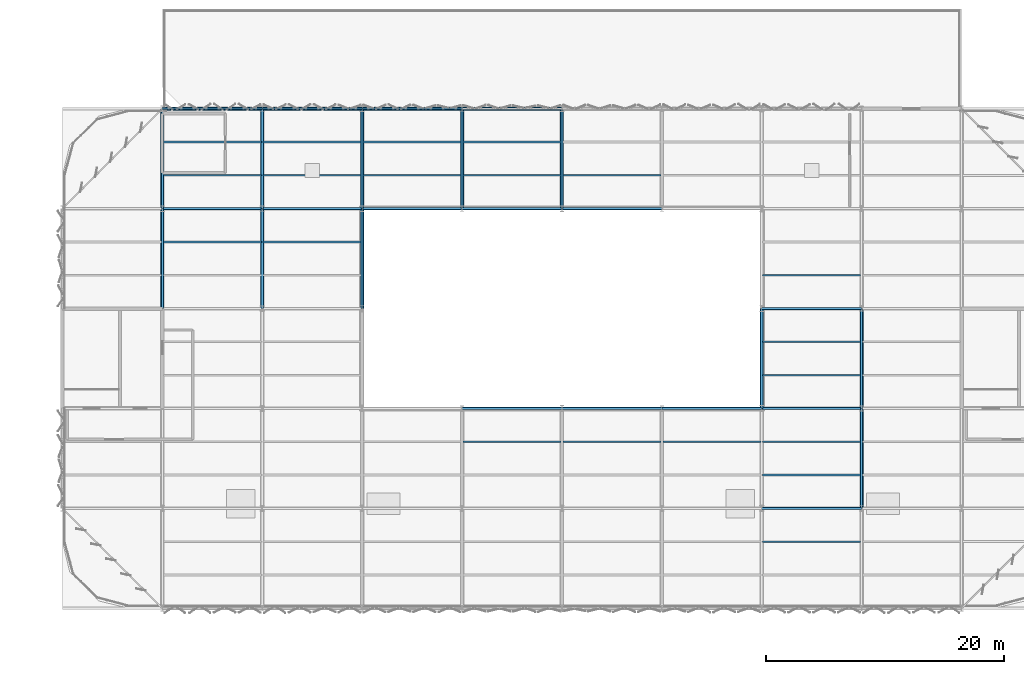
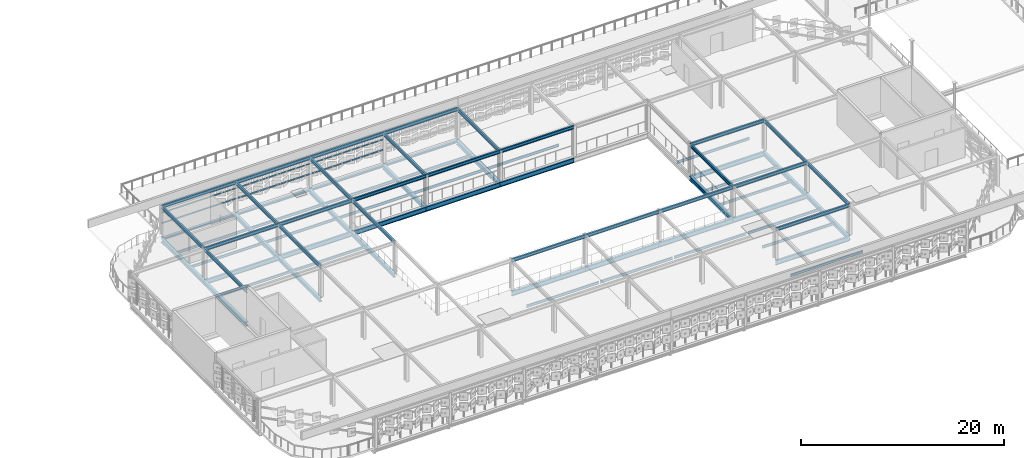
# One storey, part 32 of 65: 78 beams.
"""IFC4 building model written with IfcOpenShell, lengths in metres."""

from ifc_helpers import new_model, si_unit, direction, frame, origin, origin_2d, place, context, subcontext, project, spatial, hollow_rectangle, i_section, extrude, material, material_profile, profile_set, type_object, element, save


model = new_model("IFC4")

# Units and contexts
model_context = context("Model", 3, precision=1e-05, world=origin(), true_north=direction((0.0, 1.0)))
body_context = subcontext(model_context, "Body", "Model", "MODEL_VIEW")
ifc_project = project(units=[si_unit("LENGTHUNIT", "METRE"), si_unit("AREAUNIT", "SQUARE_METRE"), si_unit("VOLUMEUNIT", "CUBIC_METRE"), si_unit("PLANEANGLEUNIT", "RADIAN"), si_unit("MASSUNIT", "GRAM", prefix="KILO")], contexts=[model_context])

# Site, building, storey
site_placement = place(None, origin())
site = spatial("IfcSite", under=ifc_project, at=site_placement, CompositionType="ELEMENT")
building_placement = place(site_placement, origin())
building = spatial("IfcBuilding", under=site, at=building_placement, Name="Qalvenar Corner Mobility Hub", CompositionType="ELEMENT")
storey_placement = place(building_placement, frame((0.0, 0.0, 17.39990234375)))
storey = spatial("IfcBuildingStorey", under=building, at=storey_placement, Name="L04", CompositionType="ELEMENT", Elevation=17.39990234375)

# Beams
ifc_material = material(Name="Steel S355", Category="steel")
ifc_material_profile_1 = material_profile(ifc_material, i_section(OverallWidth=0.300048828125, OverallDepth=0.489990234375, WebThickness=0.011962890625, FlangeThickness=0.02294921875, FilletRadius=0.027099609375, at=origin_2d()), Name="HEA500")
ifc_profile_set_1 = profile_set([ifc_material_profile_1], Name="Steel S355")
beam_type_1 = type_object("IfcBeamType", Name="BM-HEA500", PredefinedType="BEAM", material=ifc_profile_set_1)
beam_1_placement = place(storey_placement, frame((67.199951171875, 92.39990234375, -0.48486328125), z_axis=(0.0, 1.0, 0.0), x_axis=(-1.0, 0.0, 0.0)))
element("IfcBeam", 1, at=beam_1_placement, inside=storey, type_object=beam_type_1, Name="Primary Steel Girder GY-2777", PredefinedType="BEAM", context=body_context, shape_type="SweptSolid", body=[
    extrude(i_section(OverallWidth=0.300048828125, OverallDepth=0.489990234375, WebThickness=0.011962890625, FlangeThickness=0.02294921875, FilletRadius=0.027099609375, at=origin_2d()), origin(), (0.0, 0.0, 1.0), 8.400146484375),
])
beam_2_placement = place(storey_placement, frame((67.199951171875, 100.800048828125, -0.48486328125), z_axis=(0.0, 1.0, 0.0), x_axis=(-1.0, 0.0, 0.0)))
element("IfcBeam", 2, at=beam_2_placement, inside=storey, type_object=beam_type_1, Name="Primary Steel Girder GY-2778", PredefinedType="BEAM", context=body_context, shape_type="SweptSolid", body=[
    extrude(i_section(OverallWidth=0.300048828125, OverallDepth=0.489990234375, WebThickness=0.011962890625, FlangeThickness=0.02294921875, FilletRadius=0.027099609375, at=origin_2d()), origin(), (0.0, 0.0, 1.0), 8.39990234375),
])
beam_3_placement = place(storey_placement, frame((75.60009765625, 92.39990234375, -0.48486328125), z_axis=(0.0, 1.0, 0.0), x_axis=(-1.0, 0.0, 0.0)))
element("IfcBeam", 3, at=beam_3_placement, inside=storey, type_object=beam_type_1, Name="Primary Steel Girder GY-2782", PredefinedType="BEAM", context=body_context, shape_type="SweptSolid", body=[
    extrude(i_section(OverallWidth=0.300048828125, OverallDepth=0.489990234375, WebThickness=0.011962890625, FlangeThickness=0.02294921875, FilletRadius=0.027099609375, at=origin_2d()), origin(), (0.0, 0.0, 1.0), 8.400146484375),
])
beam_4_placement = place(storey_placement, frame((75.60009765625, 100.800048828125, -0.48486328125), z_axis=(0.0, 1.0, 0.0), x_axis=(-1.0, 0.0, 0.0)))
element("IfcBeam", 4, at=beam_4_placement, inside=storey, type_object=beam_type_1, Name="Primary Steel Girder GY-2783", PredefinedType="BEAM", context=body_context, shape_type="SweptSolid", body=[
    extrude(i_section(OverallWidth=0.300048828125, OverallDepth=0.489990234375, WebThickness=0.011962890625, FlangeThickness=0.02294921875, FilletRadius=0.027099609375, at=origin_2d()), origin(), (0.0, 0.0, 1.0), 8.39990234375),
])
beam_5_placement = place(storey_placement, frame((84.0, 92.39990234375, -0.48486328125), z_axis=(0.0, 1.0, 0.0), x_axis=(-1.0, 0.0, 0.0)))
element("IfcBeam", 5, at=beam_5_placement, inside=storey, type_object=beam_type_1, Name="Primary Steel Girder GY-2787", PredefinedType="BEAM", context=body_context, shape_type="SweptSolid", body=[
    extrude(i_section(OverallWidth=0.300048828125, OverallDepth=0.489990234375, WebThickness=0.011962890625, FlangeThickness=0.02294921875, FilletRadius=0.027099609375, at=origin_2d()), origin(), (0.0, 0.0, 1.0), 8.400146484375),
])
for number, where, z_axis, x_axis, name in (
    (6, (84.0, 100.800048828125, -0.48486328125), (0.0, 1.0, 0.0), (-1.0, 0.0, 0.0), "Primary Steel Girder GY-2788"),
    (7, (92.39990234375, 100.800048828125, -0.48486328125), (0.0, 1.0, 0.0), (-1.0, 0.0, 0.0), "Primary Steel Girder GY-2791"),
    (8, (100.800048828125, 100.800048828125, -0.48486328125), (0.0, 1.0, 0.0), (-1.0, 0.0, 0.0), "Primary Steel Girder GY-2794"),
    (9, (117.60009765625, 84.0, -0.48486328125), (0.0, 1.0, 0.0), (-1.0, 0.0, 0.0), "Primary Steel Girder GY-2800"),
    (10, (126.0, 75.60009765625, -0.48486328125), (0.0, 1.0, 0.0), (-1.0, 0.0, 0.0), "Primary Steel Girder GY-2804"),
    (11, (126.0, 84.0, -0.48486328125), (0.0, 1.0, 0.0), (-1.0, 0.0, 0.0), "Primary Steel Girder GY-2805"),
):
    element("IfcBeam", number, at=place(storey_placement, frame(where, z_axis=z_axis, x_axis=x_axis)), inside=storey, type_object=beam_type_1, Name=name, PredefinedType="BEAM", context=body_context, shape_type="SweptSolid", body=[
        extrude(i_section(OverallWidth=0.300048828125, OverallDepth=0.489990234375, WebThickness=0.011962890625, FlangeThickness=0.02294921875, FilletRadius=0.027099609375, at=origin_2d()), origin(), (0.0, 0.0, 1.0), 8.39990234375),
    ])
ifc_material_profile_2 = material_profile(ifc_material, i_section(OverallWidth=0.179931640625, OverallDepth=0.39990234375, WebThickness=0.008544921875, FlangeThickness=0.013427734375, FilletRadius=0.02099609375, at=origin_2d()), Name="IPE400")
ifc_profile_set_2 = profile_set([ifc_material_profile_2], Name="Steel S355")
beam_type_2 = type_object("IfcBeamType", Name="BM-IPE400", PredefinedType="BEAM", material=ifc_profile_set_2)
beam_6_placement = place(storey_placement, frame((67.199951171875, 92.39990234375, 3.47021484375), z_axis=(0.0, 1.0, 0.0), x_axis=(-1.0, 0.0, 0.0)))
element("IfcBeam", 12, at=beam_6_placement, inside=storey, type_object=beam_type_2, Name="EV Roof Girder V4RF-Y-67-92", PredefinedType="BEAM", context=body_context, shape_type="SweptSolid", body=[
    extrude(i_section(OverallWidth=0.179931640625, OverallDepth=0.39990234375, WebThickness=0.008544921875, FlangeThickness=0.013427734375, FilletRadius=0.02099609375, at=origin_2d()), origin(), (0.0, 0.0, 1.0), 8.400146484375),
])
beam_7_placement = place(storey_placement, frame((67.199951171875, 100.800048828125, 3.47021484375), z_axis=(0.0, 1.0, 0.0), x_axis=(-1.0, 0.0, 0.0)))
element("IfcBeam", 13, at=beam_7_placement, inside=storey, type_object=beam_type_2, Name="EV Roof Girder V4RF-Y-67-100", PredefinedType="BEAM", context=body_context, shape_type="SweptSolid", body=[
    extrude(i_section(OverallWidth=0.179931640625, OverallDepth=0.39990234375, WebThickness=0.008544921875, FlangeThickness=0.013427734375, FilletRadius=0.02099609375, at=origin_2d()), origin(), (0.0, 0.0, 1.0), 8.39990234375),
])
beam_8_placement = place(storey_placement, frame((75.60009765625, 92.39990234375, 3.47021484375), z_axis=(0.0, 1.0, 0.0), x_axis=(-1.0, 0.0, 0.0)))
element("IfcBeam", 14, at=beam_8_placement, inside=storey, type_object=beam_type_2, Name="EV Roof Girder V4RF-Y-75-92", PredefinedType="BEAM", context=body_context, shape_type="SweptSolid", body=[
    extrude(i_section(OverallWidth=0.179931640625, OverallDepth=0.39990234375, WebThickness=0.008544921875, FlangeThickness=0.013427734375, FilletRadius=0.02099609375, at=origin_2d()), origin(), (0.0, 0.0, 1.0), 8.400146484375),
])
beam_9_placement = place(storey_placement, frame((75.60009765625, 100.800048828125, 3.47021484375), z_axis=(0.0, 1.0, 0.0), x_axis=(-1.0, 0.0, 0.0)))
element("IfcBeam", 15, at=beam_9_placement, inside=storey, type_object=beam_type_2, Name="EV Roof Girder V4RF-Y-75-100", PredefinedType="BEAM", context=body_context, shape_type="SweptSolid", body=[
    extrude(i_section(OverallWidth=0.179931640625, OverallDepth=0.39990234375, WebThickness=0.008544921875, FlangeThickness=0.013427734375, FilletRadius=0.02099609375, at=origin_2d()), origin(), (0.0, 0.0, 1.0), 8.39990234375),
])
beam_10_placement = place(storey_placement, frame((84.0, 92.39990234375, 3.47021484375), z_axis=(0.0, 1.0, 0.0), x_axis=(-1.0, 0.0, 0.0)))
element("IfcBeam", 16, at=beam_10_placement, inside=storey, type_object=beam_type_2, Name="EV Roof Girder V4RF-Y-84-92", PredefinedType="BEAM", context=body_context, shape_type="SweptSolid", body=[
    extrude(i_section(OverallWidth=0.179931640625, OverallDepth=0.39990234375, WebThickness=0.008544921875, FlangeThickness=0.013427734375, FilletRadius=0.02099609375, at=origin_2d()), origin(), (0.0, 0.0, 1.0), 8.400146484375),
])
for number, where, z_axis, x_axis, name in (
    (17, (84.0, 100.800048828125, 3.47021484375), (0.0, 1.0, 0.0), (-1.0, 0.0, 0.0), "EV Roof Girder V4RF-Y-84-100"),
    (18, (92.39990234375, 100.800048828125, 3.47021484375), (0.0, 1.0, 0.0), (-1.0, 0.0, 0.0), "EV Roof Girder V4RF-Y-92-100"),
    (19, (100.800048828125, 100.800048828125, 3.47021484375), (0.0, 1.0, 0.0), (-1.0, 0.0, 0.0), "EV Roof Girder V4RF-Y-100-100"),
    (20, (117.60009765625, 84.0, 3.47021484375), (0.0, 1.0, 0.0), (-1.0, 0.0, 0.0), "EV Roof Girder V4RF-Y-117-84"),
    (21, (126.0, 75.60009765625, 3.47021484375), (0.0, 1.0, 0.0), (-1.0, 0.0, 0.0), "EV Roof Girder V4RF-Y-126-75"),
    (22, (126.0, 84.0, 3.47021484375), (0.0, 1.0, 0.0), (-1.0, 0.0, 0.0), "EV Roof Girder V4RF-Y-126-84"),
    (23, (117.60009765625, 75.60009765625, 3.47021484375), (1.0, 0.0, 0.0), (0.0, 1.0, 0.0), "EV Roof Girder V4RF-X-117-75"),
):
    element("IfcBeam", number, at=place(storey_placement, frame(where, z_axis=z_axis, x_axis=x_axis)), inside=storey, type_object=beam_type_2, Name=name, PredefinedType="BEAM", context=body_context, shape_type="SweptSolid", body=[
        extrude(i_section(OverallWidth=0.179931640625, OverallDepth=0.39990234375, WebThickness=0.008544921875, FlangeThickness=0.013427734375, FilletRadius=0.02099609375, at=origin_2d()), origin(), (0.0, 0.0, 1.0), 8.39990234375),
    ])
beam_11_placement = place(storey_placement, frame((92.39990234375, 84.0, 3.47021484375), z_axis=(1.0, 0.0, 0.0), x_axis=(0.0, 1.0, 0.0)))
element("IfcBeam", 24, at=beam_11_placement, inside=storey, type_object=beam_type_2, Name="EV Roof Girder V4RF-X-92-84", PredefinedType="BEAM", context=body_context, shape_type="SweptSolid", body=[
    extrude(i_section(OverallWidth=0.179931640625, OverallDepth=0.39990234375, WebThickness=0.008544921875, FlangeThickness=0.013427734375, FilletRadius=0.02099609375, at=origin_2d()), origin(), (0.0, 0.0, 1.0), 8.400146484375),
])
beam_12_placement = place(storey_placement, frame((100.800048828125, 84.0, 3.47021484375), z_axis=(1.0, 0.0, 0.0), x_axis=(0.0, 1.0, 0.0)))
element("IfcBeam", 25, at=beam_12_placement, inside=storey, type_object=beam_type_2, Name="EV Roof Girder V4RF-X-100-84", PredefinedType="BEAM", context=body_context, shape_type="SweptSolid", body=[
    extrude(i_section(OverallWidth=0.179931640625, OverallDepth=0.39990234375, WebThickness=0.008544921875, FlangeThickness=0.013427734375, FilletRadius=0.02099609375, at=origin_2d()), origin(), (0.0, 0.0, 1.0), 8.39990234375),
])
beam_13_placement = place(storey_placement, frame((109.199951171875, 84.0, 3.47021484375), z_axis=(1.0, 0.0, 0.0), x_axis=(0.0, 1.0, 0.0)))
element("IfcBeam", 26, at=beam_13_placement, inside=storey, type_object=beam_type_2, Name="EV Roof Girder V4RF-X-109-84", PredefinedType="BEAM", context=body_context, shape_type="SweptSolid", body=[
    extrude(i_section(OverallWidth=0.179931640625, OverallDepth=0.39990234375, WebThickness=0.008544921875, FlangeThickness=0.013427734375, FilletRadius=0.02099609375, at=origin_2d()), origin(), (0.0, 0.0, 1.0), 8.400146484375),
])
for number, where, z_axis, x_axis, name in (
    (27, (117.60009765625, 84.0, 3.47021484375), (1.0, 0.0, 0.0), (0.0, 1.0, 0.0), "EV Roof Girder V4RF-X-117-84"),
    (28, (117.60009765625, 92.39990234375, 3.47021484375), (1.0, 0.0, 0.0), (0.0, 1.0, 0.0), "EV Roof Girder V4RF-X-117-92"),
):
    element("IfcBeam", number, at=place(storey_placement, frame(where, z_axis=z_axis, x_axis=x_axis)), inside=storey, type_object=beam_type_2, Name=name, PredefinedType="BEAM", context=body_context, shape_type="SweptSolid", body=[
        extrude(i_section(OverallWidth=0.179931640625, OverallDepth=0.39990234375, WebThickness=0.008544921875, FlangeThickness=0.013427734375, FilletRadius=0.02099609375, at=origin_2d()), origin(), (0.0, 0.0, 1.0), 8.39990234375),
    ])
beam_14_placement = place(storey_placement, frame((67.199951171875, 100.800048828125, 3.47021484375), z_axis=(1.0, 0.0, 0.0), x_axis=(0.0, 1.0, 0.0)))
element("IfcBeam", 29, at=beam_14_placement, inside=storey, type_object=beam_type_2, Name="EV Roof Girder V4RF-X-67-100", PredefinedType="BEAM", context=body_context, shape_type="SweptSolid", body=[
    extrude(i_section(OverallWidth=0.179931640625, OverallDepth=0.39990234375, WebThickness=0.008544921875, FlangeThickness=0.013427734375, FilletRadius=0.02099609375, at=origin_2d()), origin(), (0.0, 0.0, 1.0), 8.400146484375),
])
for number, where, z_axis, x_axis, name in (
    (30, (75.60009765625, 100.800048828125, 3.47021484375), (1.0, 0.0, 0.0), (0.0, 1.0, 0.0), "EV Roof Girder V4RF-X-75-100"),
    (31, (84.0, 100.800048828125, 3.47021484375), (1.0, 0.0, 0.0), (0.0, 1.0, 0.0), "EV Roof Girder V4RF-X-84-100"),
):
    element("IfcBeam", number, at=place(storey_placement, frame(where, z_axis=z_axis, x_axis=x_axis)), inside=storey, type_object=beam_type_2, Name=name, PredefinedType="BEAM", context=body_context, shape_type="SweptSolid", body=[
        extrude(i_section(OverallWidth=0.179931640625, OverallDepth=0.39990234375, WebThickness=0.008544921875, FlangeThickness=0.013427734375, FilletRadius=0.02099609375, at=origin_2d()), origin(), (0.0, 0.0, 1.0), 8.39990234375),
    ])
beam_15_placement = place(storey_placement, frame((92.39990234375, 100.800048828125, 3.47021484375), z_axis=(1.0, 0.0, 0.0), x_axis=(0.0, 1.0, 0.0)))
element("IfcBeam", 32, at=beam_15_placement, inside=storey, type_object=beam_type_2, Name="EV Roof Girder V4RF-X-92-100", PredefinedType="BEAM", context=body_context, shape_type="SweptSolid", body=[
    extrude(i_section(OverallWidth=0.179931640625, OverallDepth=0.39990234375, WebThickness=0.008544921875, FlangeThickness=0.013427734375, FilletRadius=0.02099609375, at=origin_2d()), origin(), (0.0, 0.0, 1.0), 8.400146484375),
])
beam_16_placement = place(storey_placement, frame((100.800048828125, 100.800048828125, 3.47021484375), z_axis=(1.0, 0.0, 0.0), x_axis=(0.0, 1.0, 0.0)))
element("IfcBeam", 33, at=beam_16_placement, inside=storey, type_object=beam_type_2, Name="EV Roof Girder V4RF-X-100-100", PredefinedType="BEAM", context=body_context, shape_type="SweptSolid", body=[
    extrude(i_section(OverallWidth=0.179931640625, OverallDepth=0.39990234375, WebThickness=0.008544921875, FlangeThickness=0.013427734375, FilletRadius=0.02099609375, at=origin_2d()), origin(), (0.0, 0.0, 1.0), 8.39990234375),
])
beam_17_placement = place(storey_placement, frame((67.199951171875, 109.199951171875, 3.47021484375), z_axis=(1.0, 0.0, 0.0), x_axis=(0.0, 1.0, 0.0)))
element("IfcBeam", 34, at=beam_17_placement, inside=storey, type_object=beam_type_2, Name="EV Roof Girder V4RF-X-67-109", PredefinedType="BEAM", context=body_context, shape_type="SweptSolid", body=[
    extrude(i_section(OverallWidth=0.179931640625, OverallDepth=0.39990234375, WebThickness=0.008544921875, FlangeThickness=0.013427734375, FilletRadius=0.02099609375, at=origin_2d()), origin(), (0.0, 0.0, 1.0), 8.400146484375),
])
for number, where, z_axis, x_axis, name in (
    (35, (75.60009765625, 109.199951171875, 3.47021484375), (1.0, 0.0, 0.0), (0.0, 1.0, 0.0), "EV Roof Girder V4RF-X-75-109"),
    (36, (84.0, 109.199951171875, 3.47021484375), (1.0, 0.0, 0.0), (0.0, 1.0, 0.0), "EV Roof Girder V4RF-X-84-109"),
):
    element("IfcBeam", number, at=place(storey_placement, frame(where, z_axis=z_axis, x_axis=x_axis)), inside=storey, type_object=beam_type_2, Name=name, PredefinedType="BEAM", context=body_context, shape_type="SweptSolid", body=[
        extrude(i_section(OverallWidth=0.179931640625, OverallDepth=0.39990234375, WebThickness=0.008544921875, FlangeThickness=0.013427734375, FilletRadius=0.02099609375, at=origin_2d()), origin(), (0.0, 0.0, 1.0), 8.39990234375),
    ])
beam_18_placement = place(storey_placement, frame((92.39990234375, 109.199951171875, 3.47021484375), z_axis=(1.0, 0.0, 0.0), x_axis=(0.0, 1.0, 0.0)))
element("IfcBeam", 37, at=beam_18_placement, inside=storey, type_object=beam_type_2, Name="EV Roof Girder V4RF-X-92-109", PredefinedType="BEAM", context=body_context, shape_type="SweptSolid", body=[
    extrude(i_section(OverallWidth=0.179931640625, OverallDepth=0.39990234375, WebThickness=0.008544921875, FlangeThickness=0.013427734375, FilletRadius=0.02099609375, at=origin_2d()), origin(), (0.0, 0.0, 1.0), 8.400146484375),
])
ifc_material_profile_3 = material_profile(ifc_material, i_section(OverallWidth=0.2099609375, OverallDepth=0.550048828125, WebThickness=0.010986328125, FlangeThickness=0.01708984375, FilletRadius=0.02392578125, at=origin_2d()), Name="IPE550")
ifc_profile_set_3 = profile_set([ifc_material_profile_3], Name="Steel S355")
beam_type_3 = type_object("IfcBeamType", Name="BM-IPE550", PredefinedType="BEAM", material=ifc_profile_set_3)
beam_19_placement = place(storey_placement, frame((117.60009765625, 75.60009765625, -0.514892578125), z_axis=(1.0, 0.0, 0.0), x_axis=(0.0, 1.0, 0.0)))
element("IfcBeam", 38, at=beam_19_placement, inside=storey, type_object=beam_type_3, Name="Primary Steel Girder GX-2734", PredefinedType="BEAM", context=body_context, shape_type="SweptSolid", body=[
    extrude(i_section(OverallWidth=0.2099609375, OverallDepth=0.550048828125, WebThickness=0.010986328125, FlangeThickness=0.01708984375, FilletRadius=0.02392578125, at=origin_2d()), origin(), (0.0, 0.0, 1.0), 8.39990234375),
])
beam_20_placement = place(storey_placement, frame((92.39990234375, 84.0, -0.514892578125), z_axis=(1.0, 0.0, 0.0), x_axis=(0.0, 1.0, 0.0)))
element("IfcBeam", 39, at=beam_20_placement, inside=storey, type_object=beam_type_3, Name="Primary Steel Girder GX-2741", PredefinedType="BEAM", context=body_context, shape_type="SweptSolid", body=[
    extrude(i_section(OverallWidth=0.2099609375, OverallDepth=0.550048828125, WebThickness=0.010986328125, FlangeThickness=0.01708984375, FilletRadius=0.02392578125, at=origin_2d()), origin(), (0.0, 0.0, 1.0), 8.400146484375),
])
beam_21_placement = place(storey_placement, frame((100.800048828125, 84.0, -0.514892578125), z_axis=(1.0, 0.0, 0.0), x_axis=(0.0, 1.0, 0.0)))
element("IfcBeam", 40, at=beam_21_placement, inside=storey, type_object=beam_type_3, Name="Primary Steel Girder GX-2742", PredefinedType="BEAM", context=body_context, shape_type="SweptSolid", body=[
    extrude(i_section(OverallWidth=0.2099609375, OverallDepth=0.550048828125, WebThickness=0.010986328125, FlangeThickness=0.01708984375, FilletRadius=0.02392578125, at=origin_2d()), origin(), (0.0, 0.0, 1.0), 8.39990234375),
])
beam_22_placement = place(storey_placement, frame((109.199951171875, 84.0, -0.514892578125), z_axis=(1.0, 0.0, 0.0), x_axis=(0.0, 1.0, 0.0)))
element("IfcBeam", 41, at=beam_22_placement, inside=storey, type_object=beam_type_3, Name="Primary Steel Girder GX-2743", PredefinedType="BEAM", context=body_context, shape_type="SweptSolid", body=[
    extrude(i_section(OverallWidth=0.2099609375, OverallDepth=0.550048828125, WebThickness=0.010986328125, FlangeThickness=0.01708984375, FilletRadius=0.02392578125, at=origin_2d()), origin(), (0.0, 0.0, 1.0), 8.400146484375),
])
for number, where, z_axis, x_axis, name in (
    (42, (117.60009765625, 84.0, -0.514892578125), (1.0, 0.0, 0.0), (0.0, 1.0, 0.0), "Primary Steel Girder GX-2744"),
    (43, (117.60009765625, 92.39990234375, -0.514892578125), (1.0, 0.0, 0.0), (0.0, 1.0, 0.0), "Primary Steel Girder GX-2750"),
):
    element("IfcBeam", number, at=place(storey_placement, frame(where, z_axis=z_axis, x_axis=x_axis)), inside=storey, type_object=beam_type_3, Name=name, PredefinedType="BEAM", context=body_context, shape_type="SweptSolid", body=[
        extrude(i_section(OverallWidth=0.2099609375, OverallDepth=0.550048828125, WebThickness=0.010986328125, FlangeThickness=0.01708984375, FilletRadius=0.02392578125, at=origin_2d()), origin(), (0.0, 0.0, 1.0), 8.39990234375),
    ])
beam_23_placement = place(storey_placement, frame((67.199951171875, 100.800048828125, -0.514892578125), z_axis=(1.0, 0.0, 0.0), x_axis=(0.0, 1.0, 0.0)))
element("IfcBeam", 44, at=beam_23_placement, inside=storey, type_object=beam_type_3, Name="Primary Steel Girder GX-2754", PredefinedType="BEAM", context=body_context, shape_type="SweptSolid", body=[
    extrude(i_section(OverallWidth=0.2099609375, OverallDepth=0.550048828125, WebThickness=0.010986328125, FlangeThickness=0.01708984375, FilletRadius=0.02392578125, at=origin_2d()), origin(), (0.0, 0.0, 1.0), 8.400146484375),
])
for number, where, z_axis, x_axis, name in (
    (45, (75.60009765625, 100.800048828125, -0.514892578125), (1.0, 0.0, 0.0), (0.0, 1.0, 0.0), "Primary Steel Girder GX-2755"),
    (46, (84.0, 100.800048828125, -0.514892578125), (1.0, 0.0, 0.0), (0.0, 1.0, 0.0), "Primary Steel Girder GX-2756"),
):
    element("IfcBeam", number, at=place(storey_placement, frame(where, z_axis=z_axis, x_axis=x_axis)), inside=storey, type_object=beam_type_3, Name=name, PredefinedType="BEAM", context=body_context, shape_type="SweptSolid", body=[
        extrude(i_section(OverallWidth=0.2099609375, OverallDepth=0.550048828125, WebThickness=0.010986328125, FlangeThickness=0.01708984375, FilletRadius=0.02392578125, at=origin_2d()), origin(), (0.0, 0.0, 1.0), 8.39990234375),
    ])
beam_24_placement = place(storey_placement, frame((92.39990234375, 100.800048828125, -0.514892578125), z_axis=(1.0, 0.0, 0.0), x_axis=(0.0, 1.0, 0.0)))
element("IfcBeam", 47, at=beam_24_placement, inside=storey, type_object=beam_type_3, Name="Primary Steel Girder GX-2757", PredefinedType="BEAM", context=body_context, shape_type="SweptSolid", body=[
    extrude(i_section(OverallWidth=0.2099609375, OverallDepth=0.550048828125, WebThickness=0.010986328125, FlangeThickness=0.01708984375, FilletRadius=0.02392578125, at=origin_2d()), origin(), (0.0, 0.0, 1.0), 8.400146484375),
])
beam_25_placement = place(storey_placement, frame((100.800048828125, 100.800048828125, -0.514892578125), z_axis=(1.0, 0.0, 0.0), x_axis=(0.0, 1.0, 0.0)))
element("IfcBeam", 48, at=beam_25_placement, inside=storey, type_object=beam_type_3, Name="Primary Steel Girder GX-2758", PredefinedType="BEAM", context=body_context, shape_type="SweptSolid", body=[
    extrude(i_section(OverallWidth=0.2099609375, OverallDepth=0.550048828125, WebThickness=0.010986328125, FlangeThickness=0.01708984375, FilletRadius=0.02392578125, at=origin_2d()), origin(), (0.0, 0.0, 1.0), 8.39990234375),
])
ifc_material_profile_4 = material_profile(ifc_material, i_section(OverallWidth=0.14990234375, OverallDepth=0.300048828125, WebThickness=0.007080078125, FlangeThickness=0.0107421875, FilletRadius=0.014892578125, at=origin_2d()), Name="IPE300")
ifc_profile_set_4 = profile_set([ifc_material_profile_4], Name="Steel S355")
beam_type_4 = type_object("IfcBeamType", Name="BM-JST300", PredefinedType="JOIST", material=ifc_profile_set_4)
for number, where, z_axis, x_axis, name in (
    (49, (67.278076171875, 98.0, -0.389892578125), (1.0, 0.0, 0.0), (0.0, 1.0, 0.0), "Composite Floor Joist J-2827"),
    (50, (67.278076171875, 103.60009765625, -0.389892578125), (1.0, 0.0, 0.0), (0.0, 1.0, 0.0), "Composite Floor Joist J-2828"),
    (51, (67.278076171875, 106.39990234375, -0.389892578125), (1.0, 0.0, 0.0), (0.0, 1.0, 0.0), "Composite Floor Joist J-2829"),
):
    element("IfcBeam", number, at=place(storey_placement, frame(where, z_axis=z_axis, x_axis=x_axis)), inside=storey, type_object=beam_type_4, Name=name, PredefinedType="JOIST", context=body_context, shape_type="SweptSolid", body=[
        extrude(i_section(OverallWidth=0.14990234375, OverallDepth=0.300048828125, WebThickness=0.007080078125, FlangeThickness=0.0107421875, FilletRadius=0.014892578125, at=origin_2d()), origin(), (0.0, 0.0, 1.0), 8.243896484375),
    ])
for number, where, z_axis, x_axis, name in (
    (52, (75.677978515625, 98.0, -0.389892578125), (1.0, 0.0, 0.0), (0.0, 1.0, 0.0), "Composite Floor Joist J-2837"),
    (53, (75.677978515625, 103.60009765625, -0.389892578125), (1.0, 0.0, 0.0), (0.0, 1.0, 0.0), "Composite Floor Joist J-2838"),
    (54, (75.677978515625, 106.39990234375, -0.389892578125), (1.0, 0.0, 0.0), (0.0, 1.0, 0.0), "Composite Floor Joist J-2839"),
    (55, (84.077880859375, 103.60009765625, -0.389892578125), (1.0, 0.0, 0.0), (0.0, 1.0, 0.0), "Composite Floor Joist J-2844"),
    (56, (84.077880859375, 106.39990234375, -0.389892578125), (1.0, 0.0, 0.0), (0.0, 1.0, 0.0), "Composite Floor Joist J-2845"),
):
    element("IfcBeam", number, at=place(storey_placement, frame(where, z_axis=z_axis, x_axis=x_axis)), inside=storey, type_object=beam_type_4, Name=name, PredefinedType="JOIST", context=body_context, shape_type="SweptSolid", body=[
        extrude(i_section(OverallWidth=0.14990234375, OverallDepth=0.300048828125, WebThickness=0.007080078125, FlangeThickness=0.0107421875, FilletRadius=0.014892578125, at=origin_2d()), origin(), (0.0, 0.0, 1.0), 8.244140625),
    ])
for number, where, z_axis, x_axis, name in (
    (57, (92.47802734375, 81.199951171875, -0.389892578125), (1.0, 0.0, 0.0), (0.0, 1.0, 0.0), "Composite Floor Joist J-2849"),
    (58, (92.47802734375, 103.60009765625, -0.389892578125), (1.0, 0.0, 0.0), (0.0, 1.0, 0.0), "Composite Floor Joist J-2850"),
    (59, (92.47802734375, 106.39990234375, -0.389892578125), (1.0, 0.0, 0.0), (0.0, 1.0, 0.0), "Composite Floor Joist J-2851"),
):
    element("IfcBeam", number, at=place(storey_placement, frame(where, z_axis=z_axis, x_axis=x_axis)), inside=storey, type_object=beam_type_4, Name=name, PredefinedType="JOIST", context=body_context, shape_type="SweptSolid", body=[
        extrude(i_section(OverallWidth=0.14990234375, OverallDepth=0.300048828125, WebThickness=0.007080078125, FlangeThickness=0.0107421875, FilletRadius=0.014892578125, at=origin_2d()), origin(), (0.0, 0.0, 1.0), 8.243896484375),
    ])
for number, where, z_axis, x_axis, name in (
    (60, (100.8779296875, 81.199951171875, -0.389892578125), (1.0, 0.0, 0.0), (0.0, 1.0, 0.0), "Composite Floor Joist J-2855"),
    (61, (100.8779296875, 103.60009765625, -0.389892578125), (1.0, 0.0, 0.0), (0.0, 1.0, 0.0), "Composite Floor Joist J-2856"),
):
    element("IfcBeam", number, at=place(storey_placement, frame(where, z_axis=z_axis, x_axis=x_axis)), inside=storey, type_object=beam_type_4, Name=name, PredefinedType="JOIST", context=body_context, shape_type="SweptSolid", body=[
        extrude(i_section(OverallWidth=0.14990234375, OverallDepth=0.300048828125, WebThickness=0.007080078125, FlangeThickness=0.0107421875, FilletRadius=0.014892578125, at=origin_2d()), origin(), (0.0, 0.0, 1.0), 8.244140625),
    ])
beam_26_placement = place(storey_placement, frame((109.278076171875, 81.199951171875, -0.389892578125), z_axis=(1.0, 0.0, 0.0), x_axis=(0.0, 1.0, 0.0)))
element("IfcBeam", 62, at=beam_26_placement, inside=storey, type_object=beam_type_4, Name="Composite Floor Joist J-2861", PredefinedType="JOIST", context=body_context, shape_type="SweptSolid", body=[
    extrude(i_section(OverallWidth=0.14990234375, OverallDepth=0.300048828125, WebThickness=0.007080078125, FlangeThickness=0.0107421875, FilletRadius=0.014892578125, at=origin_2d()), origin(), (0.0, 0.0, 1.0), 8.243896484375),
])
for number, where, z_axis, x_axis, name in (
    (63, (117.677978515625, 72.800048828125, -0.389892578125), (1.0, 0.0, 0.0), (0.0, 1.0, 0.0), "Composite Floor Joist J-2865"),
    (64, (117.677978515625, 78.39990234375, -0.389892578125), (1.0, 0.0, 0.0), (0.0, 1.0, 0.0), "Composite Floor Joist J-2866"),
    (65, (117.677978515625, 81.199951171875, -0.389892578125), (1.0, 0.0, 0.0), (0.0, 1.0, 0.0), "Composite Floor Joist J-2867"),
    (66, (117.677978515625, 86.800048828125, -0.389892578125), (1.0, 0.0, 0.0), (0.0, 1.0, 0.0), "Composite Floor Joist J-2868"),
    (67, (117.677978515625, 89.60009765625, -0.389892578125), (1.0, 0.0, 0.0), (0.0, 1.0, 0.0), "Composite Floor Joist J-2869"),
    (68, (117.677978515625, 95.199951171875, -0.389892578125), (1.0, 0.0, 0.0), (0.0, 1.0, 0.0), "Composite Floor Joist J-2870"),
):
    element("IfcBeam", number, at=place(storey_placement, frame(where, z_axis=z_axis, x_axis=x_axis)), inside=storey, type_object=beam_type_4, Name=name, PredefinedType="JOIST", context=body_context, shape_type="SweptSolid", body=[
        extrude(i_section(OverallWidth=0.14990234375, OverallDepth=0.300048828125, WebThickness=0.007080078125, FlangeThickness=0.0107421875, FilletRadius=0.014892578125, at=origin_2d()), origin(), (0.0, 0.0, 1.0), 8.244140625),
    ])
ifc_material_profile_5 = material_profile(ifc_material, i_section(OverallWidth=0.280029296875, OverallDepth=0.27001953125, WebThickness=0.008056640625, FlangeThickness=0.012939453125, FilletRadius=0.02392578125, at=origin_2d()), Name="HEA280")
ifc_profile_set_5 = profile_set([ifc_material_profile_5], Name="Steel S355")
beam_type_5 = type_object("IfcBeamType", Name="BM-SPN280", PredefinedType="SPANDREL", material=ifc_profile_set_5)
beam_27_placement = place(storey_placement, frame((67.199951171875, 109.199951171875, -0.376953125), z_axis=(1.0, 0.0, 0.0), x_axis=(0.0, 1.0, 0.0)))
element("IfcBeam", 69, at=beam_27_placement, inside=storey, type_object=beam_type_5, Name="Primary Steel Girder GX-2763", PredefinedType="SPANDREL", context=body_context, shape_type="SweptSolid", body=[
    extrude(i_section(OverallWidth=0.280029296875, OverallDepth=0.27001953125, WebThickness=0.008056640625, FlangeThickness=0.012939453125, FilletRadius=0.02392578125, at=origin_2d()), origin(), (0.0, 0.0, 1.0), 8.400146484375),
])
for number, where, z_axis, x_axis, name in (
    (70, (75.60009765625, 109.199951171875, -0.376953125), (1.0, 0.0, 0.0), (0.0, 1.0, 0.0), "Primary Steel Girder GX-2764"),
    (71, (84.0, 109.199951171875, -0.376953125), (1.0, 0.0, 0.0), (0.0, 1.0, 0.0), "Primary Steel Girder GX-2765"),
):
    element("IfcBeam", number, at=place(storey_placement, frame(where, z_axis=z_axis, x_axis=x_axis)), inside=storey, type_object=beam_type_5, Name=name, PredefinedType="SPANDREL", context=body_context, shape_type="SweptSolid", body=[
        extrude(i_section(OverallWidth=0.280029296875, OverallDepth=0.27001953125, WebThickness=0.008056640625, FlangeThickness=0.012939453125, FilletRadius=0.02392578125, at=origin_2d()), origin(), (0.0, 0.0, 1.0), 8.39990234375),
    ])
beam_28_placement = place(storey_placement, frame((92.39990234375, 109.199951171875, -0.376953125), z_axis=(1.0, 0.0, 0.0), x_axis=(0.0, 1.0, 0.0)))
element("IfcBeam", 72, at=beam_28_placement, inside=storey, type_object=beam_type_5, Name="Primary Steel Girder GX-2766", PredefinedType="SPANDREL", context=body_context, shape_type="SweptSolid", body=[
    extrude(i_section(OverallWidth=0.280029296875, OverallDepth=0.27001953125, WebThickness=0.008056640625, FlangeThickness=0.012939453125, FilletRadius=0.02392578125, at=origin_2d()), origin(), (0.0, 0.0, 1.0), 8.400146484375),
])
ifc_material_profile_6 = material_profile(ifc_material, hollow_rectangle(XDim=0.080078125, YDim=0.139892578125, WallThickness=0.0048828125, InnerFilletRadius=0.0048828125, OuterFilletRadius=0.010009765625, at=origin_2d()), Name="RHS140x80x5")
ifc_profile_set_6 = profile_set([ifc_material_profile_6], Name="Steel S355")
beam_type_6 = type_object("IfcBeamType", Name="FR-RAIL140", PredefinedType="SPANDREL", material=ifc_profile_set_6)
for number, where, z_axis, x_axis, name in (
    (73, (92.39990234375, 109.199951171875, 2.75), (-1.0, 0.0, 0.0), (0.0, -1.0, 0.0), "Facade Hinge Support Rail FR-L04-0170"),
    (74, (84.0, 109.199951171875, 2.75), (-1.0, 0.0, 0.0), (0.0, -1.0, 0.0), "Facade Hinge Support Rail FR-L04-0172"),
):
    element("IfcBeam", number, at=place(storey_placement, frame(where, z_axis=z_axis, x_axis=x_axis)), inside=storey, type_object=beam_type_6, Name=name, PredefinedType="SPANDREL", context=body_context, shape_type="SweptSolid", body=[
        extrude(hollow_rectangle(XDim=0.080078125, YDim=0.139892578125, WallThickness=0.0048828125, InnerFilletRadius=0.0048828125, OuterFilletRadius=0.010009765625, at=origin_2d()), origin(), (0.0, 0.0, 1.0), 8.39990234375),
    ])
beam_29_placement = place(storey_placement, frame((75.60009765625, 109.199951171875, 2.75), z_axis=(-1.0, 0.0, 0.0), x_axis=(0.0, -1.0, 0.0)))
element("IfcBeam", 75, at=beam_29_placement, inside=storey, type_object=beam_type_6, Name="Facade Hinge Support Rail FR-L04-0174", PredefinedType="SPANDREL", context=body_context, shape_type="SweptSolid", body=[
    extrude(hollow_rectangle(XDim=0.080078125, YDim=0.139892578125, WallThickness=0.0048828125, InnerFilletRadius=0.0048828125, OuterFilletRadius=0.010009765625, at=origin_2d()), origin(), (0.0, 0.0, 1.0), 8.400146484375),
])
ifc_material_profile_7 = material_profile(ifc_material, hollow_rectangle(XDim=0.090087890625, YDim=0.159912109375, WallThickness=0.00634765625, InnerFilletRadius=0.00634765625, OuterFilletRadius=0.0126953125, at=origin_2d()), Name="RHS160x90x6.3")
ifc_profile_set_7 = profile_set([ifc_material_profile_7], Name="Steel S355")
beam_type_7 = type_object("IfcBeamType", Name="FR-RAIL160", PredefinedType="SPANDREL", material=ifc_profile_set_7)
for number, where, z_axis, x_axis, name in (
    (76, (92.39990234375, 109.199951171875, 1.5), (-1.0, 0.0, 0.0), (0.0, -1.0, 0.0), "Facade Hinge Support Rail FR-L04-0169"),
    (77, (84.0, 109.199951171875, 1.5), (-1.0, 0.0, 0.0), (0.0, -1.0, 0.0), "Facade Hinge Support Rail FR-L04-0171"),
):
    element("IfcBeam", number, at=place(storey_placement, frame(where, z_axis=z_axis, x_axis=x_axis)), inside=storey, type_object=beam_type_7, Name=name, PredefinedType="SPANDREL", context=body_context, shape_type="SweptSolid", body=[
        extrude(hollow_rectangle(XDim=0.090087890625, YDim=0.159912109375, WallThickness=0.00634765625, InnerFilletRadius=0.00634765625, OuterFilletRadius=0.0126953125, at=origin_2d()), origin(), (0.0, 0.0, 1.0), 8.39990234375),
    ])
beam_30_placement = place(storey_placement, frame((75.60009765625, 109.199951171875, 1.5), z_axis=(-1.0, 0.0, 0.0), x_axis=(0.0, -1.0, 0.0)))
element("IfcBeam", 78, at=beam_30_placement, inside=storey, type_object=beam_type_7, Name="Facade Hinge Support Rail FR-L04-0173", PredefinedType="SPANDREL", context=body_context, shape_type="SweptSolid", body=[
    extrude(hollow_rectangle(XDim=0.090087890625, YDim=0.159912109375, WallThickness=0.00634765625, InnerFilletRadius=0.00634765625, OuterFilletRadius=0.0126953125, at=origin_2d()), origin(), (0.0, 0.0, 1.0), 8.400146484375),
])

save(model, "model.ifc")
